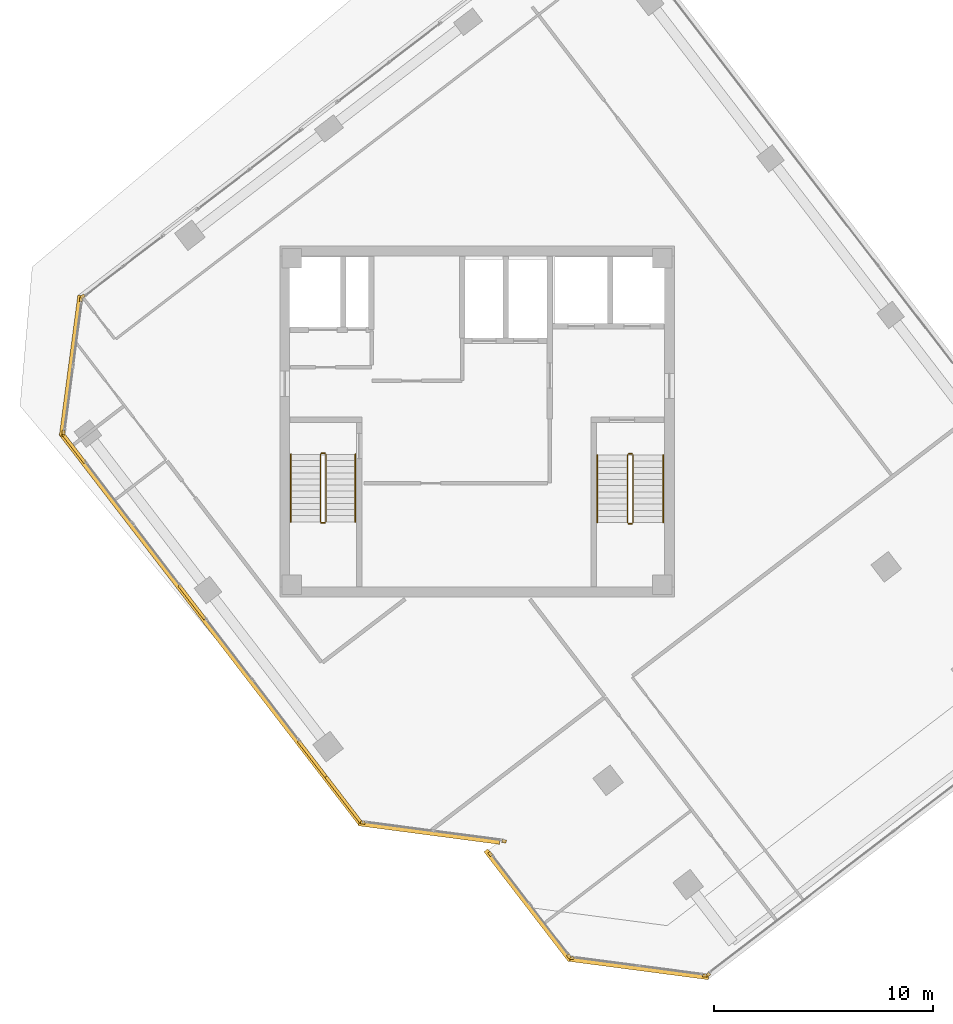
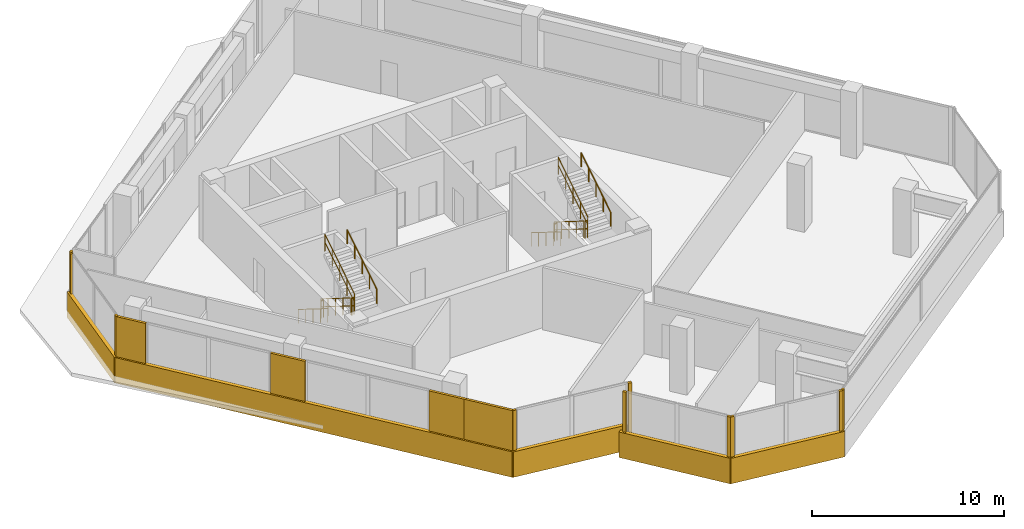
# One storey, part 15 of 17: 19 coverings, 12 railings.
"""IFC4 building model written with IfcOpenShell, lengths in metres."""

from ifc_helpers import new_model, si_unit, direction, frame, origin, origin_2d, place, context, subcontext, project, spatial, rectangle, circle, extrude, source, transform, mapped, material, layer, layer_set, type_object, element, save


model = new_model("IFC4")

# Units and contexts
model_context = context("Model", 3, precision=1e-05, world=origin(), true_north=direction((0.0, 1.0)))
body_context = subcontext(model_context, "Body", "Model", "MODEL_VIEW")
ifc_project = project(units=[si_unit("LENGTHUNIT", "METRE"), si_unit("AREAUNIT", "SQUARE_METRE"), si_unit("VOLUMEUNIT", "CUBIC_METRE"), si_unit("PLANEANGLEUNIT", "RADIAN"), si_unit("MASSUNIT", "GRAM", prefix="KILO")], contexts=[model_context])

# Site, building, storey
site_placement = place(None, origin())
site = spatial("IfcSite", under=ifc_project, at=site_placement, CompositionType="ELEMENT")
building_placement = place(site_placement, origin())
building = spatial("IfcBuilding", under=site, at=building_placement, Name="Torre Montelarca", CompositionType="ELEMENT")
storey_placement = place(building_placement, frame((0.0, 0.0, 279.39990234375)))
storey = spatial("IfcBuildingStorey", under=building, at=storey_placement, Name="L63", CompositionType="ELEMENT", Elevation=279.39990234375)

# Railings
ifc_material_1 = material(Name="Powder-coated steel ASTM A500 Grade C", Category="steel")
railing_type_1 = type_object("IfcRailingType", Name="RL-GUARD-1100", PredefinedType="BALUSTRADE", material=ifc_material_1)
railing_1_placement = place(storey_placement, frame((10.85009765625, 30.5, 0.175048828125)))
element("IfcRailing", 1, at=railing_1_placement, inside=storey, type_object=railing_type_1, Name="L63 ST1 stair guard 1", PredefinedType="BALUSTRADE", context=body_context, shape_type="SweptSolid", body=[
    extrude(circle(Radius=0.02392578125, at=origin_2d()), frame((0.0, 0.0, 1.076171875), z_axis=(0.0, -0.847998304005, 0.529998940003), x_axis=(1.0, 0.0, 0.0)), (0.0, 0.0, 1.0), 3.632080078125),
    extrude(circle(Radius=0.02099609375, at=origin_2d()), frame((0.0, 0.0, 0.572021484375), z_axis=(0.0, -0.847998304005, 0.529998940003), x_axis=(1.0, 0.0, 0.0)), (0.0, 0.0, 1.0), 3.632080078125),
    extrude(circle(Radius=0.02099609375, at=origin_2d()), origin(), (0.0, 0.0, 1.0), 1.052001953125),
    extrude(circle(Radius=0.02099609375, at=origin_2d()), frame((0.0, -0.77001953125, 0.481201171875)), (0.0, 0.0, 1.0), 1.052001953125),
    extrude(circle(Radius=0.02099609375, at=origin_2d()), frame((0.0, -1.5400390625, 0.96240234375)), (0.0, 0.0, 1.0), 1.052001953125),
    extrude(circle(Radius=0.02099609375, at=origin_2d()), frame((0.0, -2.31005859375, 1.44384765625)), (0.0, 0.0, 1.0), 1.052001953125),
    extrude(circle(Radius=0.02099609375, at=origin_2d()), frame((0.0, -3.080078125, 1.925048828125)), (0.0, 0.0, 1.0), 1.052001953125),
])
railing_2_placement = place(storey_placement, frame((10.89990234375, 27.3701171875, 2.10009765625)))
element("IfcRailing", 2, at=railing_2_placement, inside=storey, type_object=railing_type_1, Name="L63 ST1 stair guard 2", PredefinedType="BALUSTRADE", context=body_context, shape_type="SweptSolid", body=[
    extrude(circle(Radius=0.02392578125, at=origin_2d()), frame((0.0, 0.0, 1.076171875), z_axis=(1.0, 0.0, 0.0), x_axis=(0.0, 1.0, 0.0)), (0.0, 0.0, 1.0), 0.150146484375),
    extrude(circle(Radius=0.02099609375, at=origin_2d()), frame((0.0, 0.0, 0.572021484375), z_axis=(1.0, 0.0, 0.0), x_axis=(0.0, 1.0, 0.0)), (0.0, 0.0, 1.0), 0.150146484375),
    extrude(circle(Radius=0.02099609375, at=origin_2d()), origin(), (0.0, 0.0, 1.0), 1.052001953125),
    extrude(circle(Radius=0.02099609375, at=origin_2d()), frame((0.150146484375, 0.0, 0.0)), (0.0, 0.0, 1.0), 1.052001953125),
])
railing_3_placement = place(storey_placement, frame((11.10009765625, 27.419921875, 2.275146484375)))
element("IfcRailing", 3, at=railing_3_placement, inside=storey, type_object=railing_type_1, Name="L63 ST1 stair guard 3", PredefinedType="BALUSTRADE", context=body_context, shape_type="SweptSolid", body=[
    extrude(circle(Radius=0.02392578125, at=origin_2d()), frame((0.0, 0.0, 1.076171875), z_axis=(0.0, 0.847998304005, 0.529998940003), x_axis=(-1.0, 0.0, 0.0)), (0.0, 0.0, 1.0), 3.632080078125),
    extrude(circle(Radius=0.02099609375, at=origin_2d()), frame((0.0, 0.0, 0.572021484375), z_axis=(0.0, 0.847998304005, 0.529998940003), x_axis=(-1.0, 0.0, 0.0)), (0.0, 0.0, 1.0), 3.632080078125),
    extrude(circle(Radius=0.02099609375, at=origin_2d()), origin(), (0.0, 0.0, 1.0), 1.052001953125),
    extrude(circle(Radius=0.02099609375, at=origin_2d()), frame((0.0, 0.77001953125, 0.481201171875)), (0.0, 0.0, 1.0), 1.052001953125),
    extrude(circle(Radius=0.02099609375, at=origin_2d()), frame((0.0, 1.5400390625, 0.96240234375)), (0.0, 0.0, 1.0), 1.052001953125),
    extrude(circle(Radius=0.02099609375, at=origin_2d()), frame((0.0, 2.31005859375, 1.44384765625)), (0.0, 0.0, 1.0), 1.052001953125),
    extrude(circle(Radius=0.02099609375, at=origin_2d()), frame((0.0, 3.080078125, 1.925048828125)), (0.0, 0.0, 1.0), 1.052001953125),
])
railing_4_placement = place(storey_placement, frame((10.89990234375, 30.550048828125, 0.0)))
element("IfcRailing", 4, at=railing_4_placement, inside=storey, type_object=railing_type_1, Name="L63 ST1 stair guard 4", PredefinedType="BALUSTRADE", context=body_context, shape_type="SweptSolid", body=[
    extrude(circle(Radius=0.02392578125, at=origin_2d()), frame((0.0, 0.0, 1.076171875), z_axis=(1.0, 0.0, 0.0), x_axis=(0.0, 1.0, 0.0)), (0.0, 0.0, 1.0), 0.150146484375),
    extrude(circle(Radius=0.02099609375, at=origin_2d()), frame((0.0, 0.0, 0.572021484375), z_axis=(1.0, 0.0, 0.0), x_axis=(0.0, 1.0, 0.0)), (0.0, 0.0, 1.0), 0.150146484375),
    extrude(circle(Radius=0.02099609375, at=origin_2d()), origin(), (0.0, 0.0, 1.0), 1.052001953125),
    extrude(circle(Radius=0.02099609375, at=origin_2d()), frame((0.150146484375, 0.0, 0.0)), (0.0, 0.0, 1.0), 1.052001953125),
])
railing_5_placement = place(storey_placement, frame((24.8701171875, 30.469970703125, 0.175048828125)))
element("IfcRailing", 5, at=railing_5_placement, inside=storey, type_object=railing_type_1, Name="L63 ST2 stair guard 1", PredefinedType="BALUSTRADE", context=body_context, shape_type="SweptSolid", body=[
    extrude(circle(Radius=0.02392578125, at=origin_2d()), frame((0.0, 0.0, 1.076171875), z_axis=(0.0, -0.847998304005, 0.529998940003), x_axis=(1.0, 0.0, 0.0)), (0.0, 0.0, 1.0), 3.632080078125),
    extrude(circle(Radius=0.02099609375, at=origin_2d()), frame((0.0, 0.0, 0.572021484375), z_axis=(0.0, -0.847998304005, 0.529998940003), x_axis=(1.0, 0.0, 0.0)), (0.0, 0.0, 1.0), 3.632080078125),
    extrude(circle(Radius=0.02099609375, at=origin_2d()), origin(), (0.0, 0.0, 1.0), 1.052001953125),
    extrude(circle(Radius=0.02099609375, at=origin_2d()), frame((0.0, -0.77001953125, 0.481201171875)), (0.0, 0.0, 1.0), 1.052001953125),
    extrude(circle(Radius=0.02099609375, at=origin_2d()), frame((0.0, -1.5400390625, 0.96240234375)), (0.0, 0.0, 1.0), 1.052001953125),
    extrude(circle(Radius=0.02099609375, at=origin_2d()), frame((0.0, -2.31005859375, 1.44384765625)), (0.0, 0.0, 1.0), 1.052001953125),
    extrude(circle(Radius=0.02099609375, at=origin_2d()), frame((0.0, -3.080078125, 1.925048828125)), (0.0, 0.0, 1.0), 1.052001953125),
])
railing_6_placement = place(storey_placement, frame((24.919921875, 27.340087890625, 2.10009765625)))
element("IfcRailing", 6, at=railing_6_placement, inside=storey, type_object=railing_type_1, Name="L63 ST2 stair guard 2", PredefinedType="BALUSTRADE", context=body_context, shape_type="SweptSolid", body=[
    extrude(circle(Radius=0.02392578125, at=origin_2d()), frame((0.0, 0.0, 1.076171875), z_axis=(1.0, 0.0, 0.0), x_axis=(0.0, 1.0, 0.0)), (0.0, 0.0, 1.0), 0.150146484375),
    extrude(circle(Radius=0.02099609375, at=origin_2d()), frame((0.0, 0.0, 0.572021484375), z_axis=(1.0, 0.0, 0.0), x_axis=(0.0, 1.0, 0.0)), (0.0, 0.0, 1.0), 0.150146484375),
    extrude(circle(Radius=0.02099609375, at=origin_2d()), origin(), (0.0, 0.0, 1.0), 1.052001953125),
    extrude(circle(Radius=0.02099609375, at=origin_2d()), frame((0.150146484375, 0.0, 0.0)), (0.0, 0.0, 1.0), 1.052001953125),
])
railing_7_placement = place(storey_placement, frame((25.1201171875, 27.389892578125, 2.275146484375)))
element("IfcRailing", 7, at=railing_7_placement, inside=storey, type_object=railing_type_1, Name="L63 ST2 stair guard 3", PredefinedType="BALUSTRADE", context=body_context, shape_type="SweptSolid", body=[
    extrude(circle(Radius=0.02392578125, at=origin_2d()), frame((0.0, 0.0, 1.076171875), z_axis=(0.0, 0.847998304005, 0.529998940003), x_axis=(-1.0, 0.0, 0.0)), (0.0, 0.0, 1.0), 3.632080078125),
    extrude(circle(Radius=0.02099609375, at=origin_2d()), frame((0.0, 0.0, 0.572021484375), z_axis=(0.0, 0.847998304005, 0.529998940003), x_axis=(-1.0, 0.0, 0.0)), (0.0, 0.0, 1.0), 3.632080078125),
    extrude(circle(Radius=0.02099609375, at=origin_2d()), origin(), (0.0, 0.0, 1.0), 1.052001953125),
    extrude(circle(Radius=0.02099609375, at=origin_2d()), frame((0.0, 0.77001953125, 0.481201171875)), (0.0, 0.0, 1.0), 1.052001953125),
    extrude(circle(Radius=0.02099609375, at=origin_2d()), frame((0.0, 1.5400390625, 0.96240234375)), (0.0, 0.0, 1.0), 1.052001953125),
    extrude(circle(Radius=0.02099609375, at=origin_2d()), frame((0.0, 2.31005859375, 1.44384765625)), (0.0, 0.0, 1.0), 1.052001953125),
    extrude(circle(Radius=0.02099609375, at=origin_2d()), frame((0.0, 3.080078125, 1.925048828125)), (0.0, 0.0, 1.0), 1.052001953125),
])
railing_8_placement = place(storey_placement, frame((24.919921875, 30.52001953125, 0.0)))
element("IfcRailing", 8, at=railing_8_placement, inside=storey, type_object=railing_type_1, Name="L63 ST2 stair guard 4", PredefinedType="BALUSTRADE", context=body_context, shape_type="SweptSolid", body=[
    extrude(circle(Radius=0.02392578125, at=origin_2d()), frame((0.0, 0.0, 1.076171875), z_axis=(1.0, 0.0, 0.0), x_axis=(0.0, 1.0, 0.0)), (0.0, 0.0, 1.0), 0.150146484375),
    extrude(circle(Radius=0.02099609375, at=origin_2d()), frame((0.0, 0.0, 0.572021484375), z_axis=(1.0, 0.0, 0.0), x_axis=(0.0, 1.0, 0.0)), (0.0, 0.0, 1.0), 0.150146484375),
    extrude(circle(Radius=0.02099609375, at=origin_2d()), origin(), (0.0, 0.0, 1.0), 1.052001953125),
    extrude(circle(Radius=0.02099609375, at=origin_2d()), frame((0.150146484375, 0.0, 0.0)), (0.0, 0.0, 1.0), 1.052001953125),
])
ifc_material_2 = material(Name="Brushed stainless steel AISI 316", Category="steel")
railing_type_2 = type_object("IfcRailingType", Name="RL-HANDRAIL-900", PredefinedType="HANDRAIL", material=ifc_material_2)
railing_9_placement = place(storey_placement, frame((9.5, 30.5, 0.175048828125)))
element("IfcRailing", 9, at=railing_9_placement, inside=storey, type_object=railing_type_2, Name="L63 ST1 stair handrail 1", PredefinedType="HANDRAIL", context=body_context, shape_type="SweptSolid", body=[
    extrude(circle(Radius=0.02392578125, at=origin_2d()), frame((0.0, 0.0, 0.8759765625), z_axis=(0.0, -0.847998304005, 0.529998940003), x_axis=(1.0, 0.0, 0.0)), (0.0, 0.0, 1.0), 3.632080078125),
    extrude(circle(Radius=0.02099609375, at=origin_2d()), origin(), (0.0, 0.0, 1.0), 0.851806640625),
    extrude(circle(Radius=0.02099609375, at=origin_2d()), frame((0.0, -0.77001953125, 0.481201171875)), (0.0, 0.0, 1.0), 0.851806640625),
    extrude(circle(Radius=0.02099609375, at=origin_2d()), frame((0.0, -1.5400390625, 0.96240234375)), (0.0, 0.0, 1.0), 0.851806640625),
    extrude(circle(Radius=0.02099609375, at=origin_2d()), frame((0.0, -2.31005859375, 1.44384765625)), (0.0, 0.0, 1.0), 0.851806640625),
    extrude(circle(Radius=0.02099609375, at=origin_2d()), frame((0.0, -3.080078125, 1.925048828125)), (0.0, 0.0, 1.0), 0.851806640625),
])
railing_10_placement = place(storey_placement, frame((12.449951171875, 27.419921875, 2.275146484375)))
element("IfcRailing", 10, at=railing_10_placement, inside=storey, type_object=railing_type_2, Name="L63 ST1 stair handrail 2", PredefinedType="HANDRAIL", context=body_context, shape_type="SweptSolid", body=[
    extrude(circle(Radius=0.02392578125, at=origin_2d()), frame((0.0, 0.0, 0.8759765625), z_axis=(0.0, 0.847998304005, 0.529998940003), x_axis=(-1.0, 0.0, 0.0)), (0.0, 0.0, 1.0), 3.632080078125),
    extrude(circle(Radius=0.02099609375, at=origin_2d()), origin(), (0.0, 0.0, 1.0), 0.851806640625),
    extrude(circle(Radius=0.02099609375, at=origin_2d()), frame((0.0, 0.77001953125, 0.481201171875)), (0.0, 0.0, 1.0), 0.851806640625),
    extrude(circle(Radius=0.02099609375, at=origin_2d()), frame((0.0, 1.5400390625, 0.96240234375)), (0.0, 0.0, 1.0), 0.851806640625),
    extrude(circle(Radius=0.02099609375, at=origin_2d()), frame((0.0, 2.31005859375, 1.44384765625)), (0.0, 0.0, 1.0), 0.851806640625),
    extrude(circle(Radius=0.02099609375, at=origin_2d()), frame((0.0, 3.080078125, 1.925048828125)), (0.0, 0.0, 1.0), 0.851806640625),
])
railing_11_placement = place(storey_placement, frame((23.489990234375, 30.469970703125, 0.175048828125)))
element("IfcRailing", 11, at=railing_11_placement, inside=storey, type_object=railing_type_2, Name="L63 ST2 stair handrail 1", PredefinedType="HANDRAIL", context=body_context, shape_type="SweptSolid", body=[
    extrude(circle(Radius=0.02392578125, at=origin_2d()), frame((0.0, 0.0, 0.8759765625), z_axis=(0.0, -0.847998304005, 0.529998940003), x_axis=(1.0, 0.0, 0.0)), (0.0, 0.0, 1.0), 3.632080078125),
    extrude(circle(Radius=0.02099609375, at=origin_2d()), origin(), (0.0, 0.0, 1.0), 0.851806640625),
    extrude(circle(Radius=0.02099609375, at=origin_2d()), frame((0.0, -0.77001953125, 0.481201171875)), (0.0, 0.0, 1.0), 0.851806640625),
    extrude(circle(Radius=0.02099609375, at=origin_2d()), frame((0.0, -1.5400390625, 0.96240234375)), (0.0, 0.0, 1.0), 0.851806640625),
    extrude(circle(Radius=0.02099609375, at=origin_2d()), frame((0.0, -2.31005859375, 1.44384765625)), (0.0, 0.0, 1.0), 0.851806640625),
    extrude(circle(Radius=0.02099609375, at=origin_2d()), frame((0.0, -3.080078125, 1.925048828125)), (0.0, 0.0, 1.0), 0.851806640625),
])
railing_12_placement = place(storey_placement, frame((26.5, 27.389892578125, 2.275146484375)))
element("IfcRailing", 12, at=railing_12_placement, inside=storey, type_object=railing_type_2, Name="L63 ST2 stair handrail 2", PredefinedType="HANDRAIL", context=body_context, shape_type="SweptSolid", body=[
    extrude(circle(Radius=0.02392578125, at=origin_2d()), frame((0.0, 0.0, 0.8759765625), z_axis=(0.0, 0.847998304005, 0.529998940003), x_axis=(-1.0, 0.0, 0.0)), (0.0, 0.0, 1.0), 3.632080078125),
    extrude(circle(Radius=0.02099609375, at=origin_2d()), origin(), (0.0, 0.0, 1.0), 0.851806640625),
    extrude(circle(Radius=0.02099609375, at=origin_2d()), frame((0.0, 0.77001953125, 0.481201171875)), (0.0, 0.0, 1.0), 0.851806640625),
    extrude(circle(Radius=0.02099609375, at=origin_2d()), frame((0.0, 1.5400390625, 0.96240234375)), (0.0, 0.0, 1.0), 0.851806640625),
    extrude(circle(Radius=0.02099609375, at=origin_2d()), frame((0.0, 2.31005859375, 1.44384765625)), (0.0, 0.0, 1.0), 0.851806640625),
    extrude(circle(Radius=0.02099609375, at=origin_2d()), frame((0.0, 3.080078125, 1.925048828125)), (0.0, 0.0, 1.0), 0.851806640625),
])

# Coverings
ifc_material_3 = material(Name="Bush-hammered warm white precast concrete C45/55", Category="concrete")
ifc_layer = layer(ifc_material_3, 0.139892578125, Name="Bush-hammered warm white precast concrete C45/55", Category="concrete")
ifc_layer_set = layer_set([ifc_layer], Name="Bush-hammered warm white precast concrete C45/55")
covering_type = type_object("IfcCoveringType", Name="COV-TRAY-CLAD", PredefinedType="CLADDING", material=ifc_layer_set)
shared_shape_1 = source(origin(), body_context, "Body", "SweptSolid", [
    extrude(rectangle(XDim=6.48388671875, YDim=0.219970703125, at=origin_2d()), origin(), (0.0, 0.0, 1.0), 1.6201171875),
])
for number, where, z_axis, x_axis, name in (
    (13, (15.8203125, 13.236083984375, -0.449951171875), (0.0, 0.0, 1.0), (0.991444177927, -0.130531383411, 0.0), "L63 Architectural White Spandrel Tray Band TRYBOT-02"),
    (14, (25.348876953125, 7.060546875, -0.449951171875), (0.0, 0.0, 1.0), (0.991444177927, -0.130531383411, 0.0), "L63 Architectural White Spandrel Tray Band TRYBOT-05"),
    (15, (-0.529541015625, 34.543701171875, -0.449951171875), (0.0, 0.0, 1.0), (-0.130531383411, -0.991444177927, 0.0), "L63 Architectural White Spandrel Tray Band TRYBOT-11"),
):
    element("IfcCovering", number, at=place(storey_placement, frame(where, z_axis=z_axis, x_axis=x_axis)), inside=storey, type_object=covering_type, Name=name, PredefinedType="CLADDING", context=body_context, shape_type="MappedRepresentation", body=[
        mapped(shared_shape_1, transform((0.0, 0.0, 0.0), scale=1.0)),
    ])
shared_shape_2 = source(origin(), body_context, "Body", "SweptSolid", [
    extrude(rectangle(XDim=0.199951171875, YDim=0.139892578125, at=origin_2d()), origin(), (0.0, 0.0, 1.0), 3.719970703125),
])
for number, where, z_axis, x_axis, name in (
    (16, (12.788330078125, 13.69580078125, 0.0), (0.0, 0.0, 1.0), (0.991444177927, -0.130531383411, 0.0), "L63 Architectural Column Pier Cladding E02-1"),
    (17, (19.232666015625, 12.847412109375, 0.0), (0.0, 0.0, 1.0), (0.991444177927, -0.130531383411, 0.0), "L63 Architectural Column Pier Cladding E02-2"),
    (18, (18.60400390625, 12.267333984375, 0.0), (0.0, 0.0, 1.0), (0.608772506252, -0.793344840301, 0.0), "L63 Architectural Column Pier Cladding E04-1"),
    (19, (22.19091796875, 7.5927734375, 0.0), (0.0, 0.0, 1.0), (0.608772506252, -0.793344840301, 0.0), "L63 Architectural Column Pier Cladding E04-2"),
    (20, (22.31689453125, 7.520263671875, 0.0), (0.0, 0.0, 1.0), (0.991444177927, -0.130531383411, 0.0), "L63 Architectural Column Pier Cladding E05-1"),
    (21, (28.396484375, 6.7197265625, 0.0), (0.0, 0.0, 1.0), (0.991444177927, -0.130531383411, 0.0), "L63 Architectural Column Pier Cladding E05-2"),
    (22, (28.53662109375, 6.75732421875, 0.0), (0.0, 0.0, 1.0), (0.793350152813, 0.608765582989, 0.0), "L63 Architectural Column Pier Cladding E06-1"),
    (23, (0.002685546875, 37.701416015625, 0.0), (0.0, 0.0, 1.0), (-0.793351215308, -0.608764198331, 0.0), "L63 Architectural Column Pier Cladding E10-5"),
    (24, (-0.06982421875, 37.57568359375, 0.0), (0.0, 0.0, 1.0), (-0.130531383411, -0.991444177927, 0.0), "L63 Architectural Column Pier Cladding E11-1"),
    (25, (-0.870361328125, 31.495849609375, 0.0), (0.0, 0.0, 1.0), (-0.130531383411, -0.991444177927, 0.0), "L63 Architectural Column Pier Cladding E11-2"),
):
    element("IfcCovering", number, at=place(storey_placement, frame(where, z_axis=z_axis, x_axis=x_axis)), inside=storey, type_object=covering_type, Name=name, PredefinedType="CLADDING", context=body_context, shape_type="MappedRepresentation", body=[
        mapped(shared_shape_2, transform((0.0, 0.0, 0.0), scale=1.0)),
    ])
shared_shape_3 = source(origin(), body_context, "Body", "SweptSolid", [
    extrude(rectangle(XDim=2.06005859375, YDim=0.139892578125, at=origin_2d()), origin(), (0.0, 0.0, 1.0), 3.719970703125),
])
covering_1_placement = place(storey_placement, frame((10.480712890625, 16.61181640625, 0.0), z_axis=(0.0, 0.0, 1.0), x_axis=(0.608765582989, -0.793350152813, 0.0)))
element("IfcCovering", 26, at=covering_1_placement, inside=storey, type_object=covering_type, Name="L63 Architectural Column Pier Cladding E01-3", PredefinedType="CLADDING", context=body_context, shape_type="MappedRepresentation", body=[
    mapped(shared_shape_3, transform((0.0, 0.0, 0.0), scale=1.0)),
])
shared_shape_4 = source(origin(), body_context, "Body", "SweptSolid", [
    extrude(rectangle(XDim=2.754150390625, YDim=0.139892578125, at=origin_2d()), origin(), (0.0, 0.0, 1.0), 3.719970703125),
])
covering_2_placement = place(storey_placement, frame((11.885009765625, 14.781494140625, 0.0), z_axis=(0.0, 0.0, 1.0), x_axis=(0.608765582989, -0.793350152813, 0.0)))
element("IfcCovering", 27, at=covering_2_placement, inside=storey, type_object=covering_type, Name="L63 Architectural Column Pier Cladding E01-4", PredefinedType="CLADDING", context=body_context, shape_type="MappedRepresentation", body=[
    mapped(shared_shape_4, transform((0.0, 0.0, 0.0), scale=1.0)),
])
shared_shape_5 = source(origin(), body_context, "Body", "SweptSolid", [
    extrude(rectangle(XDim=22.52001953125, YDim=0.219970703125, at=origin_2d()), origin(), (0.0, 0.0, 1.0), 1.6201171875),
])
covering_3_placement = place(storey_placement, frame((5.8671875, 22.525390625, -0.449951171875), z_axis=(0.0, 0.0, 1.0), x_axis=(0.608762813671, -0.793352277801, 0.0)))
element("IfcCovering", 28, at=covering_3_placement, inside=storey, type_object=covering_type, Name="L63 Architectural White Spandrel Tray Band TRYBOT-01", PredefinedType="CLADDING", context=body_context, shape_type="MappedRepresentation", body=[
    mapped(shared_shape_5, transform((0.0, 0.0, 0.0), scale=1.0)),
])
shared_shape_6 = source(origin(), body_context, "Body", "SweptSolid", [
    extrude(rectangle(XDim=1.9599609375, YDim=0.139892578125, at=origin_2d()), origin(), (0.0, 0.0, 1.0), 3.719970703125),
])
covering_4_placement = place(storey_placement, frame((5.001708984375, 23.751953125, 0.0), z_axis=(0.0, 0.0, 1.0), x_axis=(0.608765582989, -0.793350152813, 0.0)))
element("IfcCovering", 29, at=covering_4_placement, inside=storey, type_object=covering_type, Name="L63 Architectural Column Pier Cladding E01-2", PredefinedType="CLADDING", context=body_context, shape_type="MappedRepresentation", body=[
    mapped(shared_shape_6, transform((0.0, 0.0, 0.0), scale=1.0)),
])
shared_shape_7 = source(origin(), body_context, "Body", "SweptSolid", [
    extrude(rectangle(XDim=6.320068359375, YDim=0.219970703125, at=origin_2d()), origin(), (0.0, 0.0, 1.0), 1.6201171875),
])
covering_5_placement = place(storey_placement, frame((20.32666015625, 9.923828125, -0.449951171875), z_axis=(0.0, 0.0, 1.0), x_axis=(0.6087683523, -0.793348027815, 0.0)))
element("IfcCovering", 30, at=covering_5_placement, inside=storey, type_object=covering_type, Name="L63 Architectural White Spandrel Tray Band TRYBOT-04", PredefinedType="CLADDING", context=body_context, shape_type="MappedRepresentation", body=[
    mapped(shared_shape_7, transform((0.0, 0.0, 0.0), scale=1.0)),
])
shared_shape_8 = source(origin(), body_context, "Body", "SweptSolid", [
    extrude(rectangle(XDim=1.664306640625, YDim=0.139892578125, at=origin_2d()), origin(), (0.0, 0.0, 1.0), 3.719970703125),
])
covering_6_placement = place(storey_placement, frame((-0.38720703125, 30.77490234375, 0.0), z_axis=(0.0, 0.0, 1.0), x_axis=(0.608765582989, -0.793350152813, 0.0)))
element("IfcCovering", 31, at=covering_6_placement, inside=storey, type_object=covering_type, Name="L63 Architectural Column Pier Cladding E01-1", PredefinedType="CLADDING", context=body_context, shape_type="MappedRepresentation", body=[
    mapped(shared_shape_8, transform((0.0, 0.0, 0.0), scale=1.0)),
])

save(model, "model.ifc")
